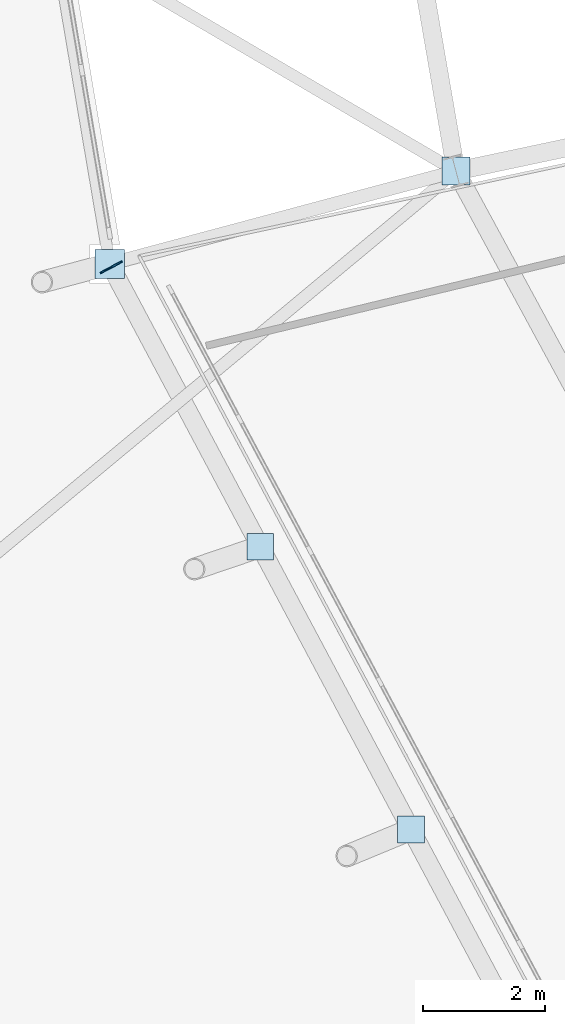
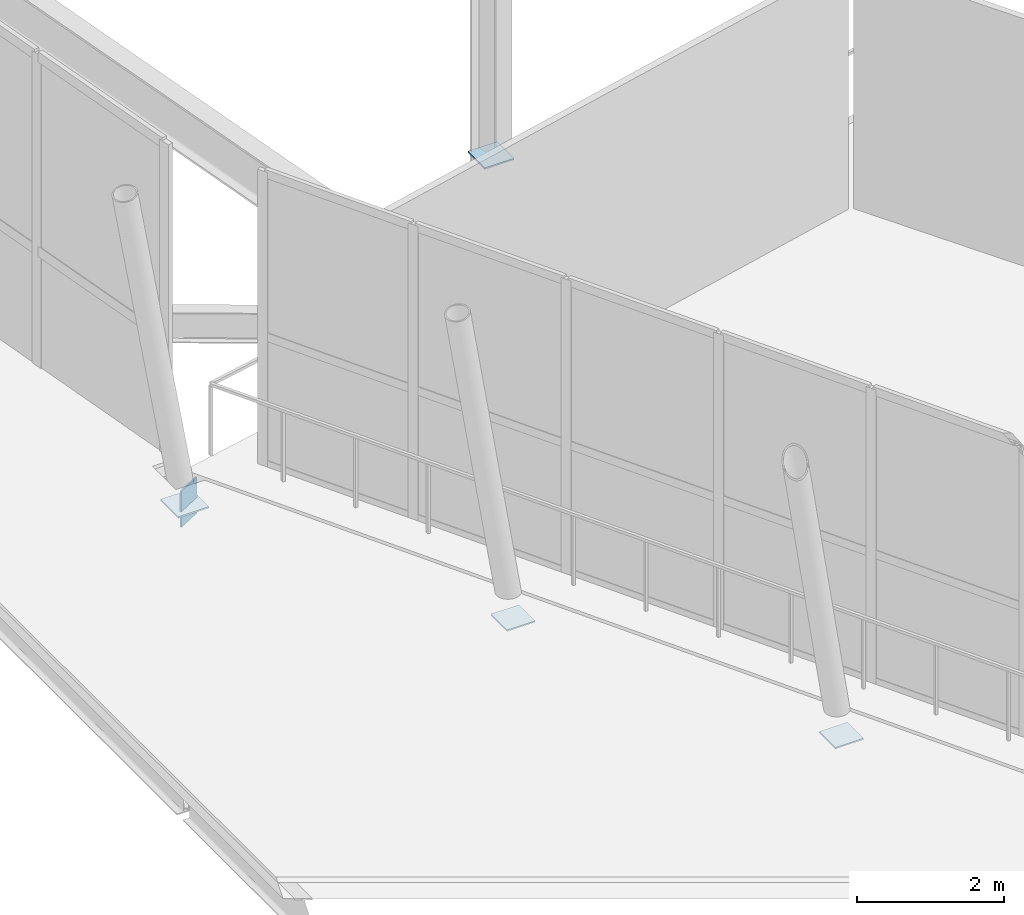
# One storey, part 65 of 99: 5 plates.
"""IFC4 building model written with IfcOpenShell, lengths in metres."""

from ifc_helpers import new_model, si_unit, direction, frame, origin, origin_2d, place, context, subcontext, project, spatial, rectangle, extrude, material, layer, layer_set, type_object, element, save


model = new_model("IFC4")

# Units and contexts
model_context = context("Model", 3, precision=1e-05, world=origin(), true_north=direction((0.0, 1.0)))
body_context = subcontext(model_context, "Body", "Model", "MODEL_VIEW")
ifc_project = project(units=[si_unit("LENGTHUNIT", "METRE"), si_unit("AREAUNIT", "SQUARE_METRE"), si_unit("VOLUMEUNIT", "CUBIC_METRE"), si_unit("PLANEANGLEUNIT", "RADIAN"), si_unit("MASSUNIT", "GRAM", prefix="KILO")], contexts=[model_context])

# Site, building, storey
site_placement = place(None, origin())
site = spatial("IfcSite", under=ifc_project, at=site_placement, CompositionType="ELEMENT")
building_placement = place(site_placement, origin())
building = spatial("IfcBuilding", under=site, at=building_placement, Name="Zlatoyarsky Gate Stadium", CompositionType="ELEMENT")
storey_placement = place(building_placement, frame((0.0, 0.0, 26.199951171875)))
storey = spatial("IfcBuildingStorey", under=building, at=storey_placement, Name="L05", CompositionType="ELEMENT", Elevation=26.199951171875)

# Plates
ifc_material = material(Name="Steel S355", Category="steel")
ifc_layer = layer(ifc_material, 0.02392578125)
ifc_layer_set = layer_set([ifc_layer], Name="Steel S355")
plate_type = type_object("IfcPlateType", Name="STEEL HOLLOW CHORD SPLICE SHEET 24", PredefinedType="SHEET", material=ifc_layer_set)
plate_1_placement = place(storey_placement, frame((15.519287109375, 60.049560546875, -0.81005859375), z_axis=(0.0, 0.0, 1.0), x_axis=(0.47018795571, -0.88256630703, 0.0)))
element("IfcPlate", 1, at=plate_1_placement, inside=storey, type_object=plate_type, Name="Hollow end cap ND-SP1 CAP-L05-SPD-13 A", PredefinedType="SHEET", context=body_context, shape_type="SweptSolid", body=[
    extrude(rectangle(XDim=0.02392578125, YDim=0.39990234375, at=origin_2d()), origin(), (0.0, 0.0, 1.0), 0.60009765625),
])
plate_2_placement = place(storey_placement, frame((15.4912109375, 60.1025390625, -0.572021484375), z_axis=(0.0, 0.0, 1.0), x_axis=(1.0, 0.0, 0.0)))
element("IfcPlate", 2, at=plate_2_placement, inside=storey, type_object=plate_type, Name="Node closure plate ND-SP1 NCAP-L05-RSTR-13", PredefinedType="SHEET", context=body_context, shape_type="SweptSolid", body=[
    extrude(rectangle(XDim=0.47998046875, YDim=0.47998046875, at=origin_2d()), origin(), (0.0, 0.0, 1.0), 0.02392578125),
])
for number, where, z_axis, x_axis, name in (
    (3, (17.960693359375, 55.467041015625, -0.52197265625), (0.0, 0.0, 1.0), (1.0, 0.0, 0.0), "Node closure plate ND-SP1 NCAP-RIB-13-1-3T"),
    (4, (20.43017578125, 50.831787109375, -0.52197265625), (0.0, 0.0, 1.0), (1.0, 0.0, 0.0), "Node closure plate ND-SP1 NCAP-RIB-13-2-3T"),
):
    element("IfcPlate", number, at=place(storey_placement, frame(where, z_axis=z_axis, x_axis=x_axis)), inside=storey, type_object=plate_type, Name=name, PredefinedType="SHEET", context=body_context, shape_type="SweptSolid", body=[
        extrude(rectangle(XDim=0.43994140625, YDim=0.43994140625, at=origin_2d()), origin(), (0.0, 0.0, 1.0), 0.02392578125),
    ])
plate_3_placement = place(storey_placement, frame((21.1689453125, 61.623779296875, 2.2880859375), z_axis=(0.0, 0.0, 1.0), x_axis=(1.0, 0.0, 0.0)))
element("IfcPlate", 5, at=plate_3_placement, inside=storey, type_object=plate_type, Name="Node closure plate ND-SP1 NCAP-BPROP-13", PredefinedType="SHEET", context=body_context, shape_type="SweptSolid", body=[
    extrude(rectangle(XDim=0.4599609375, YDim=0.4599609375, at=origin_2d()), origin(), (0.0, 0.0, 1.0), 0.02392578125),
])

save(model, "model.ifc")
